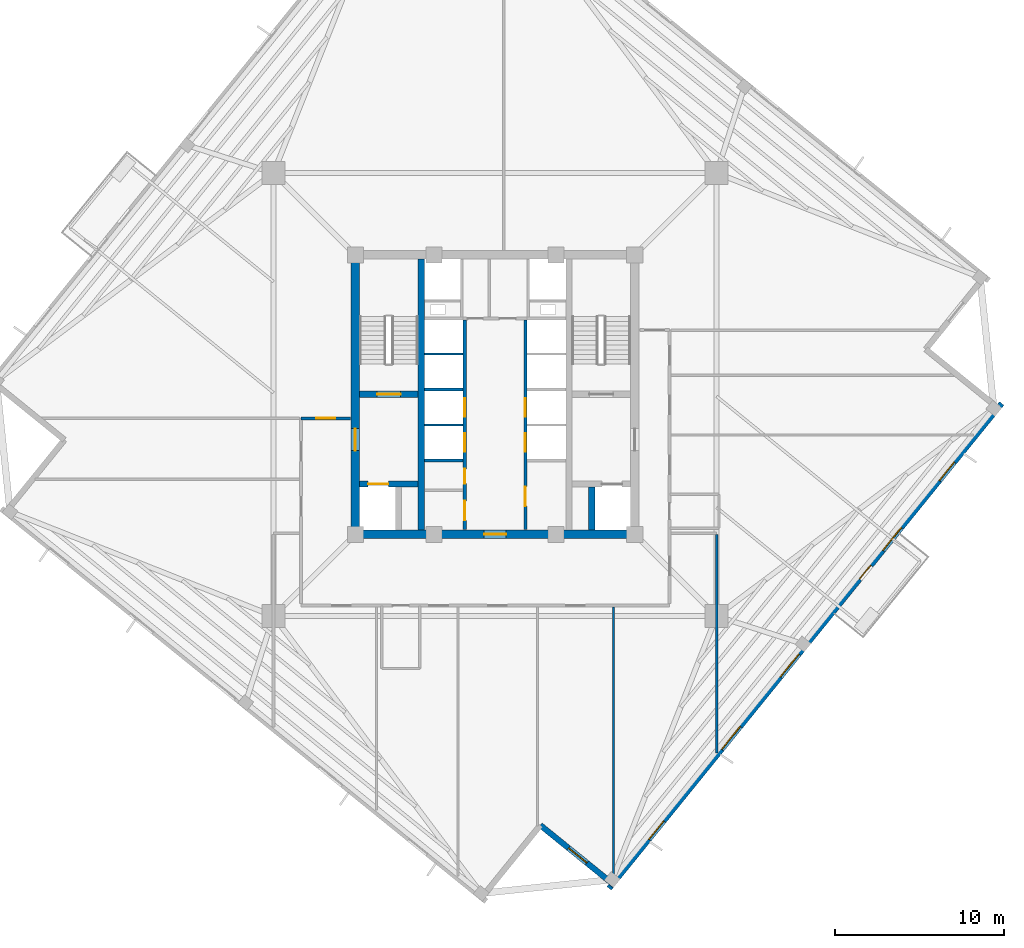
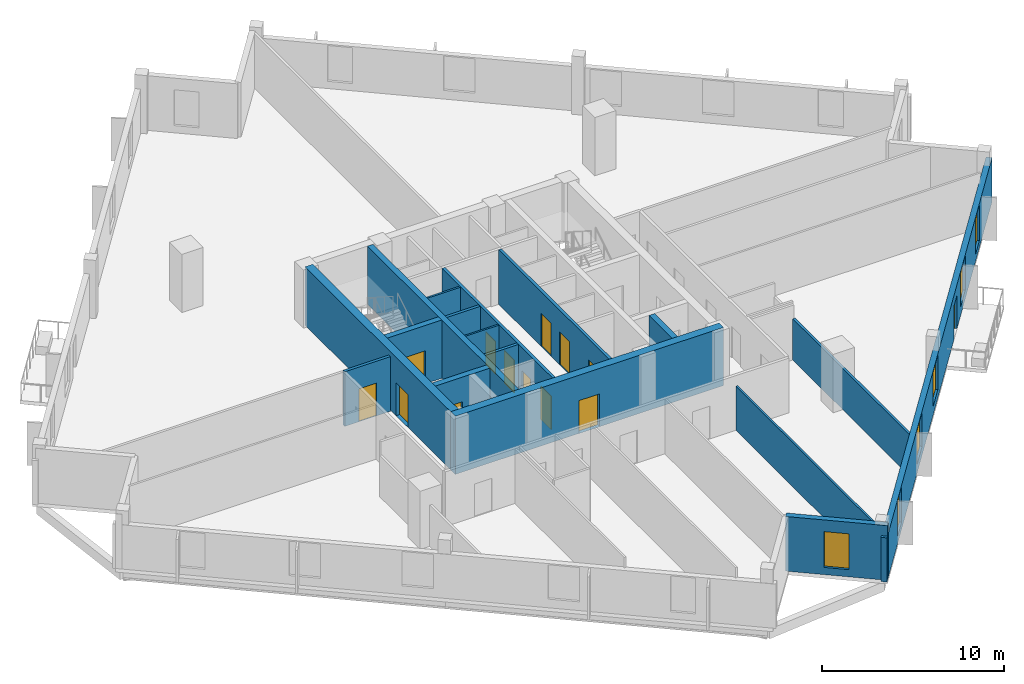
# One storey, part 3 of 9: 17 walls, 13 doors, 6 windows, 19 openings.
"""IFC4 building model written with IfcOpenShell, lengths in metres."""

from ifc_helpers import new_model, si_unit, direction, frame, frame_2d, origin, place, context, subcontext, project, spatial, rectangle, extrude, source, transform, mapped, material, layer, layer_set, type_object, element, fill, save


model = new_model("IFC4")

# Units and contexts
model_context = context("Model", 3, precision=1e-05, world=origin(), true_north=direction((0.0, 1.0)))
body_context = subcontext(model_context, "Body", "Model", "MODEL_VIEW")
ifc_project = project(units=[si_unit("LENGTHUNIT", "METRE"), si_unit("AREAUNIT", "SQUARE_METRE"), si_unit("VOLUMEUNIT", "CUBIC_METRE"), si_unit("PLANEANGLEUNIT", "RADIAN"), si_unit("MASSUNIT", "GRAM", prefix="KILO"), si_unit("THERMODYNAMICTEMPERATUREUNIT", "KELVIN")], contexts=[model_context])

# Site, building, storey
site_placement = place(None, origin())
site = spatial("IfcSite", under=ifc_project, at=site_placement, CompositionType="ELEMENT")
building_placement = place(site_placement, origin())
building = spatial("IfcBuilding", under=site, at=building_placement, Name="Kosmvard Interchange Tower", CompositionType="ELEMENT")
storey_placement = place(building_placement, frame((0.0, 0.0, 209.5)))
storey = spatial("IfcBuildingStorey", under=building, at=storey_placement, Name="L50", CompositionType="ELEMENT", Elevation=209.5)

# Wall
ifc_material_1 = material(Name="Acoustic gypsum partition system")
ifc_layer_1 = layer(ifc_material_1, 0.14990234375, Name="Acoustic gypsum partition system")
ifc_layer_set_1 = layer_set([ifc_layer_1], Name="Acoustic gypsum partition system")
wall_type_1 = type_object("IfcWallType", Name="Acoustic Suite & Meeting Partition 150", PredefinedType="PARTITIONING", material=ifc_layer_set_1)
wall_1_placement = place(storey_placement, frame((13.0810546875, -8.27490234375, 0.0), z_axis=(0.0, 0.0, 1.0), x_axis=(0.0, -1.0, 0.0)))
element("IfcWall", 1, at=wall_1_placement, inside=storey, type_object=wall_type_1, Name="L50 Room Partition 13.1", PredefinedType="PARTITIONING", context=body_context, shape_type="SweptSolid", body=[
    extrude(rectangle(XDim=12.87353515625, YDim=0.14990234375, at=frame_2d((6.436767578125, 0.0))), origin(), (0.0, 0.0, 1.0), 2.760009765625),
])

# Wall, openings, doors
ifc_material_2 = material(Name="Fire-rated gypsum partition system")
ifc_layer_2 = layer(ifc_material_2, 0.179931640625, Name="Fire-rated gypsum partition system")
ifc_layer_set_2 = layer_set([ifc_layer_2], Name="Fire-rated gypsum partition system")
wall_type_2 = type_object("IfcWallType", Name="Corridor & Hotel Compartment Partition 180", PredefinedType="PARTITIONING", material=ifc_layer_set_2)
wall_2_placement = place(storey_placement, frame((-1.7900390625, -7.97998046875, 0.0), z_axis=(0.0, 0.0, 1.0), x_axis=(0.0, 1.0, 0.0)))
wall_2 = element("IfcWall", 2, at=wall_2_placement, inside=storey, type_object=wall_type_2, Name="L50 West Lift Bank Front Wall", PredefinedType="PARTITIONING", context=body_context, shape_type="SweptSolid", body=[
    extrude(rectangle(XDim=12.3798828125, YDim=0.179931640625, at=frame_2d((6.18994140625, 0.0))), origin(), (0.0, 0.0, 1.0), 3.659912109375),
])
opening_1_placement = place(wall_2_placement, frame((4.60009765625, 0.0, 0.0)))
opening_1 = element("IfcOpeningElement", 3, at=opening_1_placement, cuts=wall_2, Name="Opening LD-PL-M1-L50", PredefinedType="OPENING", context=body_context, shape_type="SweptSolid", body=[
    extrude(rectangle(XDim=1.10009765625, YDim=2.199951171875, at=frame_2d((0.550048828125, 1.10009765625))), frame((0.0, 0.10009765625, 0.0), z_axis=(0.0, -1.0, 0.0), x_axis=(1.0, 0.0, 0.0)), (0.0, 0.0, 1.0), 0.199951171875),
])
opening_2_placement = place(wall_2_placement, frame((6.659912109375, 0.0, 0.0)))
opening_2 = element("IfcOpeningElement", 4, at=opening_2_placement, cuts=wall_2, Name="Opening LD-PL-M2-L50", PredefinedType="OPENING", context=body_context, shape_type="SweptSolid", body=[
    extrude(rectangle(XDim=1.10009765625, YDim=2.199951171875, at=frame_2d((0.550048828125, 1.10009765625))), frame((0.0, 0.10009765625, 0.0), z_axis=(0.0, -1.0, 0.0), x_axis=(1.0, 0.0, 0.0)), (0.0, 0.0, 1.0), 0.199951171875),
])
opening_3_placement = place(wall_2_placement, frame((0.550048828125, 0.0, 0.0)))
opening_3 = element("IfcOpeningElement", 5, at=opening_3_placement, cuts=wall_2, Name="Opening L50-CD1", PredefinedType="OPENING", context=body_context, shape_type="SweptSolid", body=[
    extrude(rectangle(XDim=1.14990234375, YDim=2.25, at=frame_2d((0.574951171875, 1.125))), frame((0.0, 0.10009765625, 0.0), z_axis=(0.0, -1.0, 0.0), x_axis=(1.0, 0.0, 0.0)), (0.0, 0.0, 1.0), 0.199951171875),
])
opening_4_placement = place(wall_2_placement, frame((2.719970703125, 0.0, 0.0)))
opening_4 = element("IfcOpeningElement", 6, at=opening_4_placement, cuts=wall_2, Name="Opening L50-CD2", PredefinedType="OPENING", context=body_context, shape_type="SweptSolid", body=[
    extrude(rectangle(XDim=0.8798828125, YDim=2.10009765625, at=frame_2d((0.43994140625, 1.050048828125))), frame((0.0, 0.10009765625, 0.0), z_axis=(0.0, -1.0, 0.0), x_axis=(1.0, 0.0, 0.0)), (0.0, 0.0, 1.0), 0.199951171875),
])
ifc_material_3 = material(Name="Painted fire-rated steel leaf", Category="steel")
door_type_1 = type_object("IfcDoorType", Name="Plant & Riser Fire Door 1150x2250 EI60", OperationType="NOTDEFINED", PredefinedType="DOOR", material=ifc_material_3)
shared_shape_1 = source(origin(), body_context, "Body", "SweptSolid", [
    extrude(rectangle(XDim=1.14990234375, YDim=2.25, at=frame_2d((0.574951171875, 1.125))), frame((0.0, 0.02490234375, 0.0), z_axis=(0.0, -1.0, 0.0), x_axis=(1.0, 0.0, 0.0)), (0.0, 0.0, 1.0), 0.050048828125),
])
door_1_placement = place(opening_3_placement, origin())
door_1 = element("IfcDoor", 7, at=door_1_placement, inside=storey, type_object=door_type_1, Name="L50 Core Archive Door", OperationType="SINGLE_SWING_LEFT", OverallHeight=2.25, OverallWidth=1.14990234375, PredefinedType="DOOR", context=body_context, shape_type="MappedRepresentation", body=[
    mapped(shared_shape_1, transform((0.0, 0.0, 0.0), scale=1.0)),
])
fill(opening_3, door_1)
ifc_material_4 = material(Name="Brushed stainless steel sliding leaf", Category="steel")
door_type_2 = type_object("IfcDoorType", Name="Passenger Lift Sliding Landing Door 1100x2200 EI60", OperationType="DOUBLE_DOOR_SLIDING", PredefinedType="DOOR", material=ifc_material_4)
shared_shape_2 = source(origin(), body_context, "Body", "SweptSolid", [
    extrude(rectangle(XDim=1.10009765625, YDim=2.199951171875, at=frame_2d((0.550048828125, 1.10009765625))), frame((0.0, 0.02490234375, 0.0), z_axis=(0.0, -1.0, 0.0), x_axis=(1.0, 0.0, 0.0)), (0.0, 0.0, 1.0), 0.050048828125),
])
door_2_placement = place(opening_1_placement, frame((1.10009765625, 0.0, 0.0), z_axis=(0.0, 0.0, 1.0), x_axis=(-1.0, 0.0, 0.0)))
door_2 = element("IfcDoor", 8, at=door_2_placement, inside=storey, type_object=door_type_2, Name="Lift PL-M1 Landing Door L50", OperationType="DOUBLE_DOOR_SLIDING", OverallHeight=2.199951171875, OverallWidth=1.10009765625, PredefinedType="DOOR", context=body_context, shape_type="MappedRepresentation", body=[
    mapped(shared_shape_2, transform((0.0, 0.0, 0.0), scale=1.0)),
])
fill(opening_1, door_2)
door_3_placement = place(opening_2_placement, frame((1.10009765625, 0.0, 0.0), z_axis=(0.0, 0.0, 1.0), x_axis=(-1.0, 0.0, 0.0)))
door_3 = element("IfcDoor", 9, at=door_3_placement, inside=storey, type_object=door_type_2, Name="Lift PL-M2 Landing Door L50", OperationType="DOUBLE_DOOR_SLIDING", OverallHeight=2.199951171875, OverallWidth=1.10009765625, PredefinedType="DOOR", context=body_context, shape_type="MappedRepresentation", body=[
    mapped(shared_shape_2, transform((0.0, 0.0, 0.0), scale=1.0)),
])
fill(opening_2, door_3)
ifc_material_5 = material(Name="Painted fire-rated timber leaf", Category="wood")
door_type_3 = type_object("IfcDoorType", Name="Core Cupboard Fire Door 880x2100 EI30", OperationType="NOTDEFINED", PredefinedType="DOOR", material=ifc_material_5)
shared_shape_3 = source(origin(), body_context, "Body", "SweptSolid", [
    extrude(rectangle(XDim=0.8798828125, YDim=2.10009765625, at=frame_2d((0.43994140625, 1.050048828125))), frame((0.0, 0.02490234375, 0.0), z_axis=(0.0, -1.0, 0.0), x_axis=(1.0, 0.0, 0.0)), (0.0, 0.0, 1.0), 0.050048828125),
])
door_4_placement = place(opening_4_placement, origin())
door_4 = element("IfcDoor", 10, at=door_4_placement, inside=storey, type_object=door_type_3, Name="L50 Core Supplies Door", OperationType="SINGLE_SWING_RIGHT", OverallHeight=2.10009765625, OverallWidth=0.8798828125, PredefinedType="DOOR", context=body_context, shape_type="MappedRepresentation", body=[
    mapped(shared_shape_3, transform((0.0, 0.0, 0.0), scale=1.0)),
])
fill(opening_4, door_4)

wall_3_placement = place(storey_placement, frame((1.7900390625, -7.97998046875, 0.0), z_axis=(0.0, 0.0, 1.0), x_axis=(0.0, 1.0, 0.0)))
wall_3 = element("IfcWall", 11, at=wall_3_placement, inside=storey, type_object=wall_type_2, Name="L50 East Lift Bank Front Wall", PredefinedType="PARTITIONING", context=body_context, shape_type="SweptSolid", body=[
    extrude(rectangle(XDim=12.3798828125, YDim=0.179931640625, at=frame_2d((6.18994140625, 0.0))), origin(), (0.0, 0.0, 1.0), 3.659912109375),
])
opening_5_placement = place(wall_3_placement, frame((4.60009765625, 0.0, 0.0)))
opening_5 = element("IfcOpeningElement", 12, at=opening_5_placement, cuts=wall_3, Name="Opening LD-PL-M3-L50", PredefinedType="OPENING", context=body_context, shape_type="SweptSolid", body=[
    extrude(rectangle(XDim=1.10009765625, YDim=2.199951171875, at=frame_2d((0.550048828125, 1.10009765625))), frame((0.0, 0.10009765625, 0.0), z_axis=(0.0, -1.0, 0.0), x_axis=(1.0, 0.0, 0.0)), (0.0, 0.0, 1.0), 0.199951171875),
])
opening_6_placement = place(wall_3_placement, frame((6.659912109375, 0.0, 0.0)))
opening_6 = element("IfcOpeningElement", 13, at=opening_6_placement, cuts=wall_3, Name="Opening LD-PL-M4-L50", PredefinedType="OPENING", context=body_context, shape_type="SweptSolid", body=[
    extrude(rectangle(XDim=1.10009765625, YDim=2.199951171875, at=frame_2d((0.550048828125, 1.10009765625))), frame((0.0, 0.10009765625, 0.0), z_axis=(0.0, -1.0, 0.0), x_axis=(1.0, 0.0, 0.0)), (0.0, 0.0, 1.0), 0.199951171875),
])
opening_7_placement = place(wall_3_placement, frame((1.39990234375, 0.0, 0.0)))
opening_7 = element("IfcOpeningElement", 14, at=opening_7_placement, cuts=wall_3, Name="Opening L50-CD3", PredefinedType="OPENING", context=body_context, shape_type="SweptSolid", body=[
    extrude(rectangle(XDim=1.14990234375, YDim=2.25, at=frame_2d((0.574951171875, 1.125))), frame((0.0, 0.10009765625, 0.0), z_axis=(0.0, -1.0, 0.0), x_axis=(1.0, 0.0, 0.0)), (0.0, 0.0, 1.0), 0.199951171875),
])
door_5_placement = place(opening_7_placement, frame((1.14990234375, 0.0, 0.0), z_axis=(0.0, 0.0, 1.0), x_axis=(-1.0, 0.0, 0.0)))
door_5 = element("IfcDoor", 15, at=door_5_placement, inside=storey, type_object=door_type_1, Name="L50 Core Telecoms Door", OperationType="SINGLE_SWING_RIGHT", OverallHeight=2.25, OverallWidth=1.14990234375, PredefinedType="DOOR", context=body_context, shape_type="MappedRepresentation", body=[
    mapped(shared_shape_1, transform((0.0, 0.0, 0.0), scale=1.0)),
])
fill(opening_7, door_5)
door_6_placement = place(opening_5_placement, origin())
door_6 = element("IfcDoor", 16, at=door_6_placement, inside=storey, type_object=door_type_2, Name="Lift PL-M3 Landing Door L50", OperationType="DOUBLE_DOOR_SLIDING", OverallHeight=2.199951171875, OverallWidth=1.10009765625, PredefinedType="DOOR", context=body_context, shape_type="MappedRepresentation", body=[
    mapped(shared_shape_2, transform((0.0, 0.0, 0.0), scale=1.0)),
])
fill(opening_5, door_6)
door_7_placement = place(opening_6_placement, origin())
door_7 = element("IfcDoor", 17, at=door_7_placement, inside=storey, type_object=door_type_2, Name="Lift PL-M4 Landing Door L50", OperationType="DOUBLE_DOOR_SLIDING", OverallHeight=2.199951171875, OverallWidth=1.10009765625, PredefinedType="DOOR", context=body_context, shape_type="MappedRepresentation", body=[
    mapped(shared_shape_2, transform((0.0, 0.0, 0.0), scale=1.0)),
])
fill(opening_6, door_7)

# Wall, opening, door
wall_4_placement = place(storey_placement, frame((-11.449951171875, -1.39990234375, 0.0), z_axis=(0.0, 0.0, 1.0), x_axis=(1.0, 0.0, 0.0)))
wall_4 = element("IfcWall", 18, at=wall_4_placement, inside=storey, type_object=wall_type_2, Name="L50 Corridor Wall CNW", PredefinedType="PARTITIONING", context=body_context, shape_type="SweptSolid", body=[
    extrude(rectangle(XDim=2.89990234375, YDim=0.179931640625, at=frame_2d((1.449951171875, 0.0))), origin(), (0.0, 0.0, 1.0), 3.659912109375),
])
opening_8_placement = place(wall_4_placement, frame((0.89990234375, 0.0, 0.0)))
opening_8 = element("IfcOpeningElement", 19, at=opening_8_placement, cuts=wall_4, Name="Opening L50-D03", PredefinedType="OPENING", context=body_context, shape_type="SweptSolid", body=[
    extrude(rectangle(XDim=1.10009765625, YDim=2.199951171875, at=frame_2d((0.550048828125, 1.10009765625))), frame((0.0, 0.10009765625, 0.0), z_axis=(0.0, -1.0, 0.0), x_axis=(1.0, 0.0, 0.0)), (0.0, 0.0, 1.0), 0.199951171875),
])
ifc_material_6 = material(Name="Engineered oak fire-rated timber", Category="wood")
door_type_4 = type_object("IfcDoorType", Name="Office Suite Entrance Door 1100x2200 FD30S", OperationType="NOTDEFINED", PredefinedType="DOOR", material=ifc_material_6)
door_8_placement = place(opening_8_placement, origin())
door_8 = element("IfcDoor", 20, at=door_8_placement, inside=storey, type_object=door_type_4, Name="L50 North-West Executive Advisory Workplace Door", OperationType="SINGLE_SWING_LEFT", OverallHeight=2.199951171875, OverallWidth=1.10009765625, PredefinedType="DOOR", context=body_context, shape_type="MappedRepresentation", body=[
    mapped(shared_shape_2, transform((0.0, 0.0, 0.0), scale=1.0)),
])
fill(opening_8, door_8)

# Wall, openings, door, windows
ifc_material_7 = material(Name="Precast concrete C45/55", Category="concrete")
ifc_layer_3 = layer(ifc_material_7, 0.340087890625, Name="Precast concrete C45/55")
ifc_layer_set_3 = layer_set([ifc_layer_3], Name="Precast concrete C45/55")
wall_type_3 = type_object("IfcWallType", Name="Mid Tower Precast Pier Wall 340 C45/55", PredefinedType="STANDARD", material=ifc_layer_set_3)
wall_5_placement = place(storey_placement, frame((6.73291015625, -29.154296875, 0.0), z_axis=(0.0, 0.0, 1.0), x_axis=(0.629325378072, 0.77714192302, 0.0)))
wall_5 = element("IfcWall", 21, at=wall_5_placement, inside=storey, type_object=wall_type_3, Name="L50 Precast Facade Wall F-S", PredefinedType="STANDARD", context=body_context, shape_type="SweptSolid", body=[
    extrude(rectangle(XDim=36.840087890625, YDim=0.340087890625, at=frame_2d((18.419921875, 0.0))), origin(), (0.0, 0.0, 1.0), 2.9599609375),
])
opening_9_placement = place(wall_5_placement, frame((23.4951171875, 0.0, 0.0)))
opening_9 = element("IfcOpeningElement", 22, at=opening_9_placement, cuts=wall_5, Name="Opening L50-BDW", PredefinedType="OPENING", context=body_context, shape_type="SweptSolid", body=[
    extrude(rectangle(XDim=1.050048828125, YDim=2.25, at=frame_2d((0.52490234375, 1.125))), frame((0.0, 0.18017578125, 0.0), z_axis=(0.0, -1.0, 0.0), x_axis=(1.0, 0.0, 0.0)), (0.0, 0.0, 1.0), 0.360107421875),
])
opening_10_placement = place(wall_5_placement, frame((3.720703125, 0.0, 0.47998046875)))
opening_10 = element("IfcOpeningElement", 23, at=opening_10_placement, cuts=wall_5, Name="Opening L50-W01", PredefinedType="OPENING", context=body_context, shape_type="SweptSolid", body=[
    extrude(rectangle(XDim=1.39990234375, YDim=2.39990234375, at=frame_2d((0.699951171875, 1.199951171875))), frame((0.0, 0.18017578125, 0.0), z_axis=(0.0, -1.0, 0.0), x_axis=(1.0, 0.0, 0.0)), (0.0, 0.0, 1.0), 0.360107421875),
])
opening_11_placement = place(wall_5_placement, frame((10.55859375, 0.0, 0.580078125)))
opening_11 = element("IfcOpeningElement", 24, at=opening_11_placement, cuts=wall_5, Name="Opening L50-W02", PredefinedType="OPENING", context=body_context, shape_type="SweptSolid", body=[
    extrude(rectangle(XDim=1.75, YDim=2.300048828125, at=frame_2d((0.875, 1.14990234375))), frame((0.0, 0.18017578125, 0.0), z_axis=(0.0, -1.0, 0.0), x_axis=(1.0, 0.0, 0.0)), (0.0, 0.0, 1.0), 0.360107421875),
])
opening_12_placement = place(wall_5_placement, frame((16.05810546875, 0.0, 0.580078125)))
opening_12 = element("IfcOpeningElement", 25, at=opening_12_placement, cuts=wall_5, Name="Opening L50-W03", PredefinedType="OPENING", context=body_context, shape_type="SweptSolid", body=[
    extrude(rectangle(XDim=1.75, YDim=2.300048828125, at=frame_2d((0.875, 1.14990234375))), frame((0.0, 0.18017578125, 0.0), z_axis=(0.0, -1.0, 0.0), x_axis=(1.0, 0.0, 0.0)), (0.0, 0.0, 1.0), 0.360107421875),
])
opening_13_placement = place(wall_5_placement, frame((25.67626953125, 0.0, 0.580078125)))
opening_13 = element("IfcOpeningElement", 26, at=opening_13_placement, cuts=wall_5, Name="Opening L50-W04", PredefinedType="OPENING", context=body_context, shape_type="SweptSolid", body=[
    extrude(rectangle(XDim=1.75, YDim=2.300048828125, at=frame_2d((0.875, 1.14990234375))), frame((0.0, 0.18017578125, 0.0), z_axis=(0.0, -1.0, 0.0), x_axis=(1.0, 0.0, 0.0)), (0.0, 0.0, 1.0), 0.360107421875),
])
opening_14_placement = place(wall_5_placement, frame((30.982421875, 0.0, 0.47998046875)))
opening_14 = element("IfcOpeningElement", 27, at=opening_14_placement, cuts=wall_5, Name="Opening L50-W05", PredefinedType="OPENING", context=body_context, shape_type="SweptSolid", body=[
    extrude(rectangle(XDim=1.39990234375, YDim=2.39990234375, at=frame_2d((0.699951171875, 1.199951171875))), frame((0.0, 0.18017578125, 0.0), z_axis=(0.0, -1.0, 0.0), x_axis=(1.0, 0.0, 0.0)), (0.0, 0.0, 1.0), 0.360107421875),
])
ifc_material_8 = material(Name="Anodised aluminium and safety glass", Category="aluminium")
door_type_5 = type_object("IfcDoorType", Name="Tree-Balcony Glazed Door 1050x2250", OperationType="NOTDEFINED", PredefinedType="DOOR", material=ifc_material_8)
shared_shape_4 = source(origin(), body_context, "Body", "SweptSolid", [
    extrude(rectangle(XDim=1.050048828125, YDim=2.25, at=frame_2d((0.52490234375, 1.125))), frame((0.0, 0.02490234375, 0.0), z_axis=(0.0, -1.0, 0.0), x_axis=(1.0, 0.0, 0.0)), (0.0, 0.0, 1.0), 0.050048828125),
])
door_9_placement = place(opening_9_placement, origin())
door_9 = element("IfcDoor", 28, at=door_9_placement, inside=storey, type_object=door_type_5, Name="L50 Tree-Balcony Door BAL-L50-SW", OperationType="SINGLE_SWING_LEFT", OverallHeight=2.25, OverallWidth=1.050048828125, PredefinedType="DOOR", context=body_context, shape_type="MappedRepresentation", body=[
    mapped(shared_shape_4, transform((0.0, 0.0, 0.0), scale=1.0)),
])
fill(opening_9, door_9)
ifc_material_9 = material(Name="Low-E solar-control double glazing", Category="glass")
window_type_1 = type_object("IfcWindowType", Name="Notched Corner Feature Window 1400x2400", PartitioningType="SINGLE_PANEL", PredefinedType="WINDOW", material=ifc_material_9)
shared_shape_5 = source(origin(), body_context, "Body", "SweptSolid", [
    extrude(rectangle(XDim=1.39990234375, YDim=2.39990234375, at=frame_2d((0.699951171875, 1.199951171875))), frame((0.0, 0.030029296875, 0.0), z_axis=(0.0, -1.0, 0.0), x_axis=(1.0, 0.0, 0.0)), (0.0, 0.0, 1.0), 0.06005859375),
])
window_1_placement = place(opening_10_placement, origin())
window_1 = element("IfcWindow", 29, at=window_1_placement, inside=storey, type_object=window_type_1, Name="L50 Facade Punched Window 01", OverallHeight=2.39990234375, OverallWidth=1.39990234375, PartitioningType="SINGLE_PANEL", PredefinedType="WINDOW", context=body_context, shape_type="MappedRepresentation", body=[
    mapped(shared_shape_5, transform((0.0, 0.0, 0.0), scale=1.0)),
])
fill(opening_10, window_1)
window_2_placement = place(opening_14_placement, origin())
window_2 = element("IfcWindow", 30, at=window_2_placement, inside=storey, type_object=window_type_1, Name="L50 Facade Punched Window 05", OverallHeight=2.39990234375, OverallWidth=1.39990234375, PartitioningType="SINGLE_PANEL", PredefinedType="WINDOW", context=body_context, shape_type="MappedRepresentation", body=[
    mapped(shared_shape_5, transform((0.0, 0.0, 0.0), scale=1.0)),
])
fill(opening_14, window_2)
window_type_2 = type_object("IfcWindowType", Name="Zone 4 Suite Punched Window 1750x2300", PartitioningType="SINGLE_PANEL", PredefinedType="WINDOW", material=ifc_material_9)
shared_shape_6 = source(origin(), body_context, "Body", "SweptSolid", [
    extrude(rectangle(XDim=1.75, YDim=2.300048828125, at=frame_2d((0.875, 1.14990234375))), frame((0.0, 0.030029296875, 0.0), z_axis=(0.0, -1.0, 0.0), x_axis=(1.0, 0.0, 0.0)), (0.0, 0.0, 1.0), 0.06005859375),
])
window_3_placement = place(opening_11_placement, origin())
window_3 = element("IfcWindow", 31, at=window_3_placement, inside=storey, type_object=window_type_2, Name="L50 Facade Punched Window 02", OverallHeight=2.300048828125, OverallWidth=1.75, PartitioningType="SINGLE_PANEL", PredefinedType="WINDOW", context=body_context, shape_type="MappedRepresentation", body=[
    mapped(shared_shape_6, transform((0.0, 0.0, 0.0), scale=1.0)),
])
fill(opening_11, window_3)
window_4_placement = place(opening_12_placement, origin())
window_4 = element("IfcWindow", 32, at=window_4_placement, inside=storey, type_object=window_type_2, Name="L50 Facade Punched Window 03", OverallHeight=2.300048828125, OverallWidth=1.75, PartitioningType="SINGLE_PANEL", PredefinedType="WINDOW", context=body_context, shape_type="MappedRepresentation", body=[
    mapped(shared_shape_6, transform((0.0, 0.0, 0.0), scale=1.0)),
])
fill(opening_12, window_4)
window_5_placement = place(opening_13_placement, origin())
window_5 = element("IfcWindow", 33, at=window_5_placement, inside=storey, type_object=window_type_2, Name="L50 Facade Punched Window 04", OverallHeight=2.300048828125, OverallWidth=1.75, PartitioningType="SINGLE_PANEL", PredefinedType="WINDOW", context=body_context, shape_type="MappedRepresentation", body=[
    mapped(shared_shape_6, transform((0.0, 0.0, 0.0), scale=1.0)),
])
fill(opening_13, window_5)

# Wall, opening, window
wall_6_placement = place(storey_placement, frame((2.672607421875, -25.428955078125, 0.0), z_axis=(0.0, 0.0, 1.0), x_axis=(0.777162640055, -0.629299794138, 0.0)))
wall_6 = element("IfcWall", 34, at=wall_6_placement, inside=storey, type_object=wall_type_3, Name="L50 Precast Facade Wall N-SW2", PredefinedType="STANDARD", context=body_context, shape_type="SweptSolid", body=[
    extrude(rectangle(XDim=5.669921875, YDim=0.340087890625, at=frame_2d((2.8349609375, 0.0))), origin(), (0.0, 0.0, 1.0), 3.659912109375),
])
opening_15_placement = place(wall_6_placement, frame((2.135009765625, 0.0, 0.47998046875)))
opening_15 = element("IfcOpeningElement", 35, at=opening_15_placement, cuts=wall_6, Name="Opening L50-W23", PredefinedType="OPENING", context=body_context, shape_type="SweptSolid", body=[
    extrude(rectangle(XDim=1.39990234375, YDim=2.39990234375, at=frame_2d((0.699951171875, 1.199951171875))), frame((0.0, 0.18017578125, 0.0), z_axis=(0.0, -1.0, 0.0), x_axis=(1.0, 0.0, 0.0)), (0.0, 0.0, 1.0), 0.360107421875),
])
window_6_placement = place(opening_15_placement, origin())
window_6 = element("IfcWindow", 36, at=window_6_placement, inside=storey, type_object=window_type_1, Name="L50 Corner Notch Window 23", OverallHeight=2.39990234375, OverallWidth=1.39990234375, PartitioningType="SINGLE_PANEL", PredefinedType="WINDOW", context=body_context, shape_type="MappedRepresentation", body=[
    mapped(shared_shape_5, transform((0.0, 0.0, 0.0), scale=1.0)),
])
fill(opening_15, window_6)

# Walls
ifc_material_10 = material(Name="Gypsum board partition system")
ifc_layer_4 = layer(ifc_material_10, 0.1201171875, Name="Gypsum board partition system")
ifc_layer_set_4 = layer_set([ifc_layer_4], Name="Gypsum board partition system")
wall_type_4 = type_object("IfcWallType", Name="Office Cellular Partition 120", PredefinedType="PARTITIONING", material=ifc_layer_set_4)
wall_7_placement = place(storey_placement, frame((7.0, -28.657958984375, 0.0), z_axis=(0.0, 0.0, 1.0), x_axis=(0.0, 1.0, 0.0)))
element("IfcWall", 37, at=wall_7_placement, inside=storey, type_object=wall_type_4, Name="L50 Room Partition 11.1", PredefinedType="PARTITIONING", context=body_context, shape_type="SweptSolid", body=[
    extrude(rectangle(XDim=16.113037109375, YDim=0.1201171875, at=frame_2d((8.056640625, 0.0))), origin(), (0.0, 0.0, 1.0), 2.9599609375),
])
ifc_material_11 = material(Name="Concrete blockwork masonry", Category="masonry")
ifc_layer_5 = layer(ifc_material_11, 0.179931640625, Name="Concrete blockwork masonry")
ifc_layer_set_5 = layer_set([ifc_layer_5], Name="Concrete blockwork masonry")
wall_type_5 = type_object("IfcWallType", Name="Riser & Lift Bank Divider Wall 180", PredefinedType="PARTITIONING", material=ifc_layer_set_5)
for number, where, z_axis, x_axis, name in (
    (38, (-4.169921875, -3.89990234375, 0.0), (0.0, 0.0, 1.0), (1.0, 0.0, 0.0), "L50 West Bank Divider BD1"),
    (39, (-4.169921875, 0.300048828125, 0.0), (0.0, 0.0, 1.0), (1.0, 0.0, 0.0), "L50 West Bank Divider BD2"),
):
    element("IfcWall", number, at=place(storey_placement, frame(where, z_axis=z_axis, x_axis=x_axis)), inside=storey, type_object=wall_type_5, Name=name, PredefinedType="PARTITIONING", context=body_context, shape_type="SweptSolid", body=[
        extrude(rectangle(XDim=2.280029296875, YDim=0.179931640625, at=frame_2d((1.14013671875, 0.0))), origin(), (0.0, 0.0, 1.0), 3.659912109375),
    ])
ifc_material_12 = material(Name="Fire-rated gypsum shaftwall system")
ifc_layer_6 = layer(ifc_material_12, 0.1201171875, Name="Fire-rated gypsum shaftwall system")
ifc_layer_set_6 = layer_set([ifc_layer_6], Name="Fire-rated gypsum shaftwall system")
wall_type_6 = type_object("IfcWallType", Name="Shaft & Riser Fire Partition 120 EI60", PredefinedType="PARTITIONING", material=ifc_layer_set_6)
for number, where, z_axis, x_axis, name in (
    (40, (-4.159912109375, -1.800048828125, 0.0), (0.0, 0.0, 1.0), (1.0, 0.0, 0.0), "L50 Shaft Divider PL-M1"),
    (41, (-4.159912109375, 2.39990234375, 0.0), (0.0, 0.0, 1.0), (1.0, 0.0, 0.0), "L50 Shaft Divider PL-H1"),
):
    element("IfcWall", number, at=place(storey_placement, frame(where, z_axis=z_axis, x_axis=x_axis)), inside=storey, type_object=wall_type_6, Name=name, PredefinedType="PARTITIONING", context=body_context, shape_type="SweptSolid", body=[
        extrude(rectangle(XDim=2.260009765625, YDim=0.1201171875, at=frame_2d((1.1298828125, 0.0))), origin(), (0.0, 0.0, 1.0), 3.659912109375),
    ])
ifc_material_13 = material(Name="Concrete C60/75", Category="concrete")
ifc_layer_7 = layer(ifc_material_13, 0.360107421875, Name="Concrete C60/75")
ifc_layer_set_7 = layer_set([ifc_layer_7], Name="Concrete C60/75")
wall_type_7 = type_object("IfcWallType", Name="Stair & Lift Shaft Shear Wall 360 C60/75", PredefinedType="SHEAR", material=ifc_layer_set_7)
wall_8_placement = place(storey_placement, frame((-4.360107421875, -8.0, 0.0), z_axis=(0.0, 0.0, 1.0), x_axis=(0.0, 1.0, 0.0)))
element("IfcWall", 42, at=wall_8_placement, inside=storey, type_object=wall_type_7, Name="L50 Shaft Shear Wall SW-W", PredefinedType="SHEAR", context=body_context, shape_type="SweptSolid", body=[
    extrude(rectangle(XDim=16.0, YDim=0.360107421875, at=frame_2d((8.0, 0.0))), origin(), (0.0, 0.0, 1.0), 3.89990234375),
])

# Wall, opening, door
wall_9_placement = place(storey_placement, frame((-8.0, 0.02001953125, 0.0), z_axis=(0.0, 0.0, 1.0), x_axis=(1.0, 0.0, 0.0)))
wall_9 = element("IfcWall", 43, at=wall_9_placement, inside=storey, type_object=wall_type_7, Name="L50 Shaft Shear Wall SW-ST1", PredefinedType="SHEAR", context=body_context, shape_type="SweptSolid", body=[
    extrude(rectangle(XDim=3.4599609375, YDim=0.360107421875, at=frame_2d((1.72998046875, 0.0))), origin(), (0.0, 0.0, 1.0), 3.89990234375),
])
opening_16_placement = place(wall_9_placement, frame((1.030029296875, 0.0, 0.0)))
opening_16 = element("IfcOpeningElement", 44, at=opening_16_placement, cuts=wall_9, Name="Opening L50-SD1", PredefinedType="OPENING", context=body_context, shape_type="SweptSolid", body=[
    extrude(rectangle(XDim=1.39990234375, YDim=2.199951171875, at=frame_2d((0.699951171875, 1.10009765625))), frame((0.0, 0.18994140625, 0.0), z_axis=(0.0, -1.0, 0.0), x_axis=(1.0, 0.0, 0.0)), (0.0, 0.0, 1.0), 0.380126953125),
])
door_type_6 = type_object("IfcDoorType", Name="Protected Stair Door 1400x2200 FD60S", OperationType="NOTDEFINED", PredefinedType="DOOR", material=ifc_material_3)
shared_shape_7 = source(origin(), body_context, "Body", "SweptSolid", [
    extrude(rectangle(XDim=1.39990234375, YDim=2.199951171875, at=frame_2d((0.699951171875, 1.10009765625))), frame((0.0, 0.02490234375, 0.0), z_axis=(0.0, -1.0, 0.0), x_axis=(1.0, 0.0, 0.0)), (0.0, 0.0, 1.0), 0.050048828125),
])
door_10_placement = place(opening_16_placement, origin())
door_10 = element("IfcDoor", 45, at=door_10_placement, inside=storey, type_object=door_type_6, Name="L50 Stair ST-1 Enclosure Door", OperationType="SINGLE_SWING_LEFT", OverallHeight=2.199951171875, OverallWidth=1.39990234375, PredefinedType="DOOR", context=body_context, shape_type="MappedRepresentation", body=[
    mapped(shared_shape_7, transform((0.0, 0.0, 0.0), scale=1.0)),
])
fill(opening_16, door_10)

wall_10_placement = place(storey_placement, frame((-8.0, -5.280029296875, 0.0), z_axis=(0.0, 0.0, 1.0), x_axis=(1.0, 0.0, 0.0)))
wall_10 = element("IfcWall", 46, at=wall_10_placement, inside=storey, type_object=wall_type_7, Name="L50 Shaft Shear Wall SW-FF1", PredefinedType="SHEAR", context=body_context, shape_type="SweptSolid", body=[
    extrude(rectangle(XDim=3.4599609375, YDim=0.360107421875, at=frame_2d((1.72998046875, 0.0))), origin(), (0.0, 0.0, 1.0), 3.89990234375),
])
opening_17_placement = place(wall_10_placement, frame((0.5, 0.0, 0.0)))
opening_17 = element("IfcOpeningElement", 47, at=opening_17_placement, cuts=wall_10, Name="Opening LD-FF-1-L50", PredefinedType="OPENING", context=body_context, shape_type="SweptSolid", body=[
    extrude(rectangle(XDim=1.199951171875, YDim=2.25, at=frame_2d((0.60009765625, 1.125))), frame((0.0, 0.18994140625, 0.0), z_axis=(0.0, -1.0, 0.0), x_axis=(1.0, 0.0, 0.0)), (0.0, 0.0, 1.0), 0.380126953125),
])
door_type_7 = type_object("IfcDoorType", Name="Firefighting Lift Sliding Landing Door 1200x2250 EI120", OperationType="DOUBLE_DOOR_SLIDING", PredefinedType="DOOR", material=ifc_material_4)
shared_shape_8 = source(origin(), body_context, "Body", "SweptSolid", [
    extrude(rectangle(XDim=1.199951171875, YDim=2.25, at=frame_2d((0.60009765625, 1.125))), frame((0.0, 0.02490234375, 0.0), z_axis=(0.0, -1.0, 0.0), x_axis=(1.0, 0.0, 0.0)), (0.0, 0.0, 1.0), 0.050048828125),
])
door_11_placement = place(opening_17_placement, origin())
door_11 = element("IfcDoor", 48, at=door_11_placement, inside=storey, type_object=door_type_7, Name="Lift FF-1 Landing Door L50", OperationType="DOUBLE_DOOR_SLIDING", OverallHeight=2.25, OverallWidth=1.199951171875, PredefinedType="DOOR", context=body_context, shape_type="MappedRepresentation", body=[
    mapped(shared_shape_8, transform((0.0, 0.0, 0.0), scale=1.0)),
])
fill(opening_17, door_11)

# Wall
wall_11_placement = place(storey_placement, frame((5.7099609375, -8.0, 0.0), z_axis=(0.0, 0.0, 1.0), x_axis=(0.0, 1.0, 0.0)))
element("IfcWall", 49, at=wall_11_placement, inside=storey, type_object=wall_type_7, Name="L50 Shaft Shear Wall SW-SM2", PredefinedType="SHEAR", context=body_context, shape_type="SweptSolid", body=[
    extrude(rectangle(XDim=2.5400390625, YDim=0.360107421875, at=frame_2d((1.27001953125, 0.0))), origin(), (0.0, 0.0, 1.0), 3.89990234375),
])

# Wall, opening, door
ifc_layer_8 = layer(ifc_material_13, 0.5, Name="Concrete C60/75")
ifc_layer_set_8 = layer_set([ifc_layer_8], Name="Concrete C60/75")
wall_type_8 = type_object("IfcWallType", Name="Upper Core Shear Wall 500 C60/75", PredefinedType="SHEAR", material=ifc_layer_set_8)
wall_12_placement = place(storey_placement, frame((-8.5, -8.25, 0.0), z_axis=(0.0, 0.0, 1.0), x_axis=(1.0, 0.0, 0.0)))
wall_12 = element("IfcWall", 50, at=wall_12_placement, inside=storey, type_object=wall_type_8, Name="L50 Core Shear Wall CW-S", PredefinedType="SHEAR", context=body_context, shape_type="SweptSolid", body=[
    extrude(rectangle(XDim=17.0, YDim=0.5, at=frame_2d((8.5, 0.0))), origin(), (0.0, 0.0, 1.0), 3.89990234375),
])
opening_18_placement = place(wall_12_placement, frame((7.85009765625, 0.0, 0.0)))
opening_18 = element("IfcOpeningElement", 51, at=opening_18_placement, cuts=wall_12, Name="Opening L50-LD0", PredefinedType="OPENING", context=body_context, shape_type="SweptSolid", body=[
    extrude(rectangle(XDim=1.300048828125, YDim=2.199951171875, at=frame_2d((0.64990234375, 1.10009765625))), frame((0.0, 0.260009765625, 0.0), z_axis=(0.0, -1.0, 0.0), x_axis=(1.0, 0.0, 0.0)), (0.0, 0.0, 1.0), 0.52001953125),
])
door_type_8 = type_object("IfcDoorType", Name="Firefighting Lobby Door 1300x2200 EI60", OperationType="NOTDEFINED", PredefinedType="DOOR", material=ifc_material_3)
shared_shape_9 = source(origin(), body_context, "Body", "SweptSolid", [
    extrude(rectangle(XDim=1.300048828125, YDim=2.199951171875, at=frame_2d((0.64990234375, 1.10009765625))), frame((0.0, 0.02490234375, 0.0), z_axis=(0.0, -1.0, 0.0), x_axis=(1.0, 0.0, 0.0)), (0.0, 0.0, 1.0), 0.050048828125),
])
door_12_placement = place(opening_18_placement, frame((1.300048828125, 0.0, 0.0), z_axis=(0.0, 0.0, 1.0), x_axis=(-1.0, 0.0, 0.0)))
door_12 = element("IfcDoor", 52, at=door_12_placement, inside=storey, type_object=door_type_8, Name="L50 Passenger Lift Lobby South Door", OperationType="SINGLE_SWING_LEFT", OverallHeight=2.199951171875, OverallWidth=1.300048828125, PredefinedType="DOOR", context=body_context, shape_type="MappedRepresentation", body=[
    mapped(shared_shape_9, transform((0.0, 0.0, 0.0), scale=1.0)),
])
fill(opening_18, door_12)

wall_13_placement = place(storey_placement, frame((-8.25, -8.0, 0.0), z_axis=(0.0, 0.0, 1.0), x_axis=(0.0, 1.0, 0.0)))
wall_13 = element("IfcWall", 53, at=wall_13_placement, inside=storey, type_object=wall_type_8, Name="L50 Core Shear Wall CW-W", PredefinedType="SHEAR", context=body_context, shape_type="SweptSolid", body=[
    extrude(rectangle(XDim=16.0, YDim=0.5, at=frame_2d((8.0, 0.0))), origin(), (0.0, 0.0, 1.0), 3.89990234375),
])
opening_19_placement = place(wall_13_placement, frame((4.68994140625, 0.0, 0.0)))
opening_19 = element("IfcOpeningElement", 54, at=opening_19_placement, cuts=wall_13, Name="Opening L50-FD1", PredefinedType="OPENING", context=body_context, shape_type="SweptSolid", body=[
    extrude(rectangle(XDim=1.300048828125, YDim=2.199951171875, at=frame_2d((0.64990234375, 1.10009765625))), frame((0.0, 0.260009765625, 0.0), z_axis=(0.0, -1.0, 0.0), x_axis=(1.0, 0.0, 0.0)), (0.0, 0.0, 1.0), 0.52001953125),
])
door_13_placement = place(opening_19_placement, frame((1.300048828125, 0.0, 0.0), z_axis=(0.0, 0.0, 1.0), x_axis=(-1.0, 0.0, 0.0)))
door_13 = element("IfcDoor", 55, at=door_13_placement, inside=storey, type_object=door_type_8, Name="L50 Firefighting Lobby West Door", OperationType="SINGLE_SWING_LEFT", OverallHeight=2.199951171875, OverallWidth=1.300048828125, PredefinedType="DOOR", context=body_context, shape_type="MappedRepresentation", body=[
    mapped(shared_shape_9, transform((0.0, 0.0, 0.0), scale=1.0)),
])
fill(opening_19, door_13)

save(model, "model.ifc")
